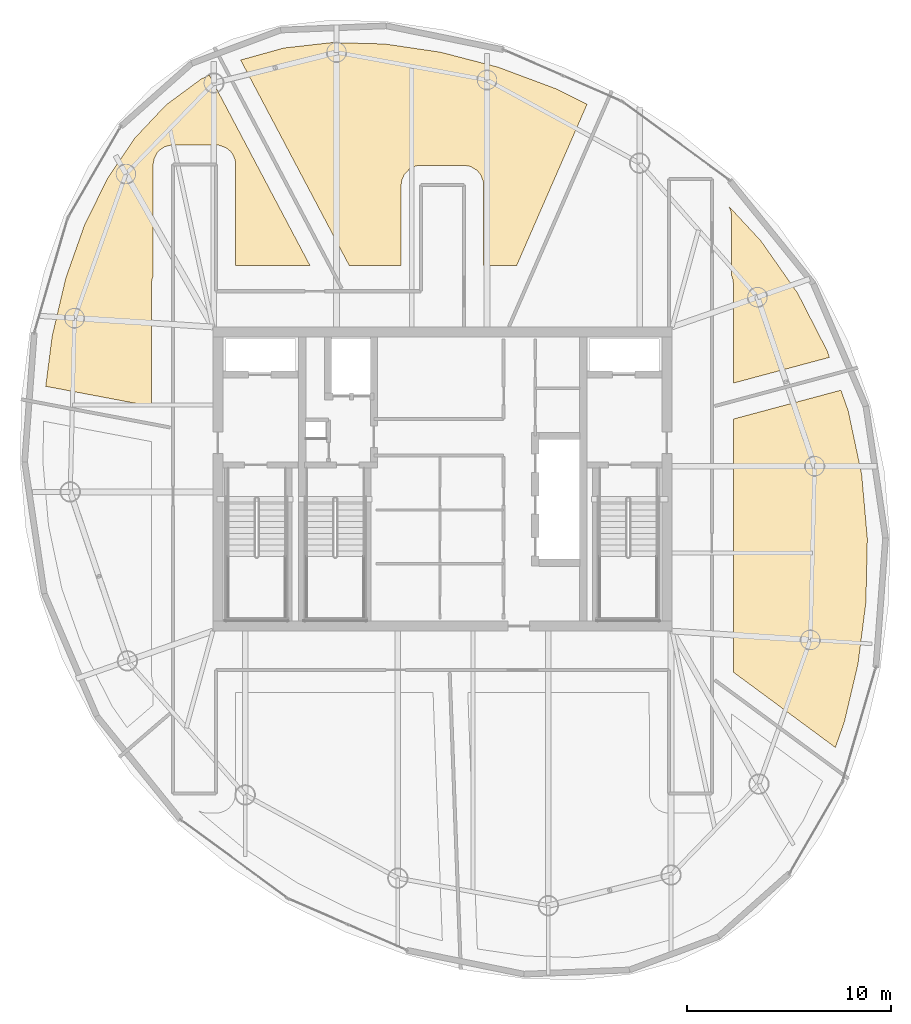
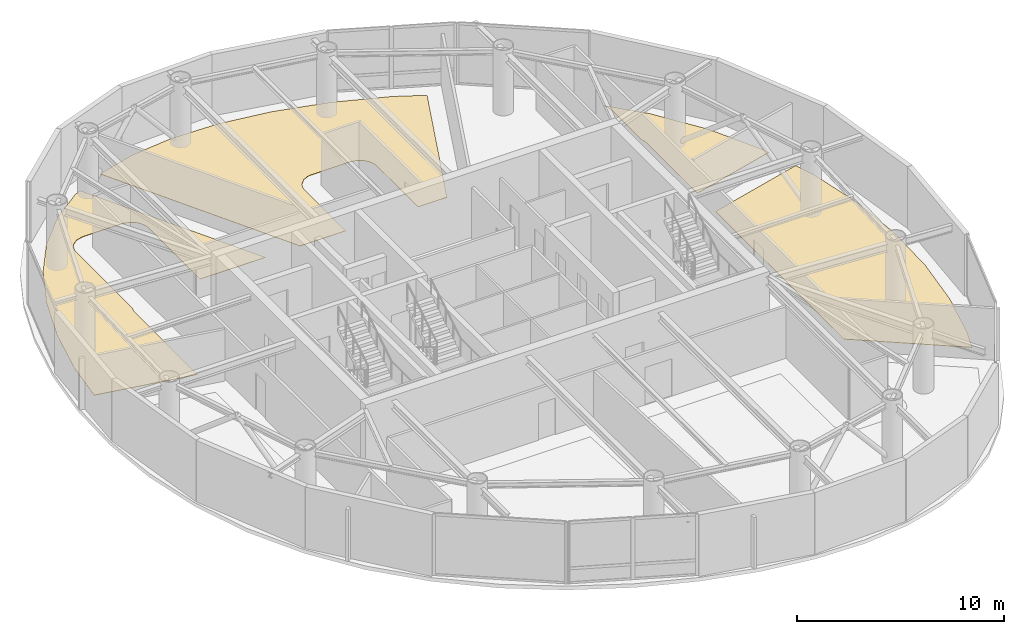
# One storey, part 20 of 20: 4 coverings.
"""IFC4 building model written with IfcOpenShell, lengths in metres."""

from ifc_helpers import new_model, si_unit, direction, frame, origin, place, context, subcontext, project, spatial, polyline, outline, extrude, material, layer, layer_set, type_object, element, save


model = new_model("IFC4")

# Units and contexts
model_context = context("Model", 3, precision=1e-05, world=origin(), true_north=direction((0.0, 1.0)))
body_context = subcontext(model_context, "Body", "Model", "MODEL_VIEW")
ifc_project = project(units=[si_unit("LENGTHUNIT", "METRE"), si_unit("AREAUNIT", "SQUARE_METRE"), si_unit("VOLUMEUNIT", "CUBIC_METRE"), si_unit("PLANEANGLEUNIT", "RADIAN"), si_unit("MASSUNIT", "GRAM", prefix="KILO")], contexts=[model_context])

# Site, building, storey
site_placement = place(None, origin())
site = spatial("IfcSite", under=ifc_project, at=site_placement, CompositionType="ELEMENT")
building_placement = place(site_placement, origin())
building = spatial("IfcBuilding", under=site, at=building_placement, Name="Bramvorn Convention Spire", CompositionType="ELEMENT")
storey_placement = place(building_placement, frame((0.0, 0.0, 269.0)))
storey = spatial("IfcBuildingStorey", under=building, at=storey_placement, Name="L68", CompositionType="ELEMENT", Elevation=269.0)

# Coverings
ifc_material = material(Name="Honed Dolomitic Limestone Terrazzo Flooring", Category="masonry")
ifc_layer = layer(ifc_material, 0.02490234375)
ifc_layer_set = layer_set([ifc_layer], Name="Honed Dolomitic Limestone Terrazzo Flooring - FLR-TERRAZZO-25")
covering_type = type_object("IfcCoveringType", Name="FLR-TERRAZZO-25", PredefinedType="FLOORING", material=ifc_layer_set)
covering_1_placement = place(storey_placement, origin())
element("IfcCovering", 1, at=covering_1_placement, inside=storey, type_object=covering_type, Name="L68 Executive Dining Salon 1 1 raised floor finish", PredefinedType="FLOORING", context=body_context, shape_type="SweptSolid", body=[
    extrude(outline(polyline([(52.1201171875, 39.16552734375), (52.169189453125, 38.898681640625), (52.169921875, 35.95751953125), (52.233642578125, 35.765869140625), (52.25, 35.60009765625), (52.25, 30.6982421875), (56.95849609375, 31.9599609375), (56.83984375, 32.298095703125), (55.405517578125, 35.09814453125), (53.597412109375, 37.673095703125), (52.026611328125, 39.364990234375), (52.1201171875, 39.16552734375)])), origin(), (0.0, 0.0, 1.0), 0.02490234375),
])
covering_2_placement = place(storey_placement, origin())
element("IfcCovering", 2, at=covering_2_placement, inside=storey, type_object=covering_type, Name="L68 Executive Dining Salon 2 2 raised floor finish", PredefinedType="FLOORING", context=body_context, shape_type="SweptSolid", body=[
    extrude(outline(polyline([(33.4384765625, 36.449951171875), (35.97998046875, 36.449951171875), (35.98095703125, 40.441650390625), (36.010498046875, 40.641357421875), (36.12109375, 40.90380859375), (36.376953125, 41.1826171875), (36.61767578125, 41.311279296875), (36.802001953125, 41.3583984375), (39.050048828125, 41.3701171875), (39.38232421875, 41.311279296875), (39.697021484375, 41.12255859375), (39.885009765625, 40.8935546875), (40.008544921875, 40.548095703125), (40.02001953125, 36.449951171875), (41.6318359375, 36.449951171875), (45.083251953125, 44.3603515625), (43.571044921875, 45.114501953125), (40.721923828125, 46.17919921875), (37.898681640625, 46.912841796875), (35.17431640625, 47.314208984375), (32.609130859375, 47.383056640625), (30.244873046875, 47.11962890625), (28.1123046875, 46.527587890625), (33.4384765625, 36.449951171875)])), origin(), (0.0, 0.0, 1.0), 0.02490234375),
])
covering_3_placement = place(storey_placement, origin())
element("IfcCovering", 3, at=covering_3_placement, inside=storey, type_object=covering_type, Name="L68 Butler Catering Kitchen 3 raised floor finish", PredefinedType="FLOORING", context=body_context, shape_type="SweptSolid", body=[
    extrude(outline(polyline([(23.75, 29.561279296875), (23.75, 35.60009765625), (23.766357421875, 35.765869140625), (23.830078125, 35.95751953125), (23.83154296875, 41.45361328125), (23.888916015625, 41.732421875), (24.017578125, 41.972900390625), (24.153076171875, 42.12255859375), (24.390625, 42.279296875), (24.75830078125, 42.368896484375), (27.03662109375, 42.360107421875), (27.40380859375, 42.228759765625), (27.61474609375, 42.0556640625), (27.73486328125, 41.8935546875), (27.83935546875, 41.641357421875), (27.868896484375, 41.441650390625), (27.8701171875, 36.449951171875), (31.515625, 36.449951171875), (26.5791015625, 45.7900390625), (26.178466796875, 45.5966796875), (24.460693359375, 44.328369140625), (22.93505859375, 42.7099609375), (21.59912109375, 40.741455078125), (20.463623046875, 38.440185546875), (19.548095703125, 35.84326171875), (18.880615234375, 33.00341796875), (18.564697265625, 30.54248046875), (23.75, 29.561279296875)])), origin(), (0.0, 0.0, 1.0), 0.02490234375),
])
covering_4_placement = place(storey_placement, origin())
element("IfcCovering", 4, at=covering_4_placement, inside=storey, type_object=covering_type, Name="L68 Executive Strategy Suite 7 raised floor finish", PredefinedType="FLOORING", context=body_context, shape_type="SweptSolid", body=[
    extrude(outline(polyline([(57.25, 12.849365234375), (57.69140625, 14.101806640625), (58.359130859375, 16.94140625), (58.74609375, 19.958251953125), (58.81689453125, 23.078369140625), (58.538330078125, 26.22412109375), (57.884033203125, 29.3203125), (57.522705078125, 30.35107421875), (52.25, 28.938232421875), (52.25, 16.539306640625), (57.25, 12.849365234375)])), origin(), (0.0, 0.0, 1.0), 0.02490234375),
])

save(model, "model.ifc")
